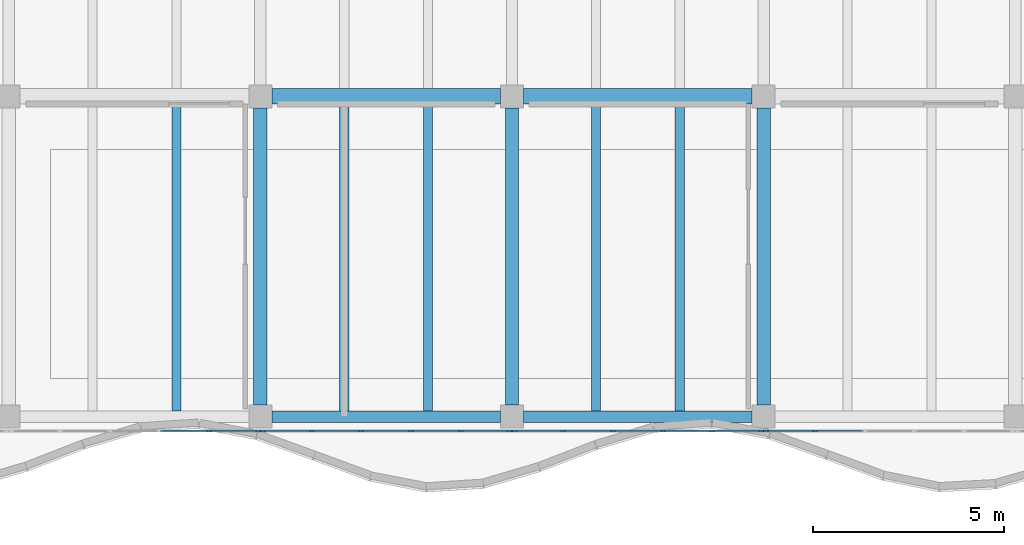
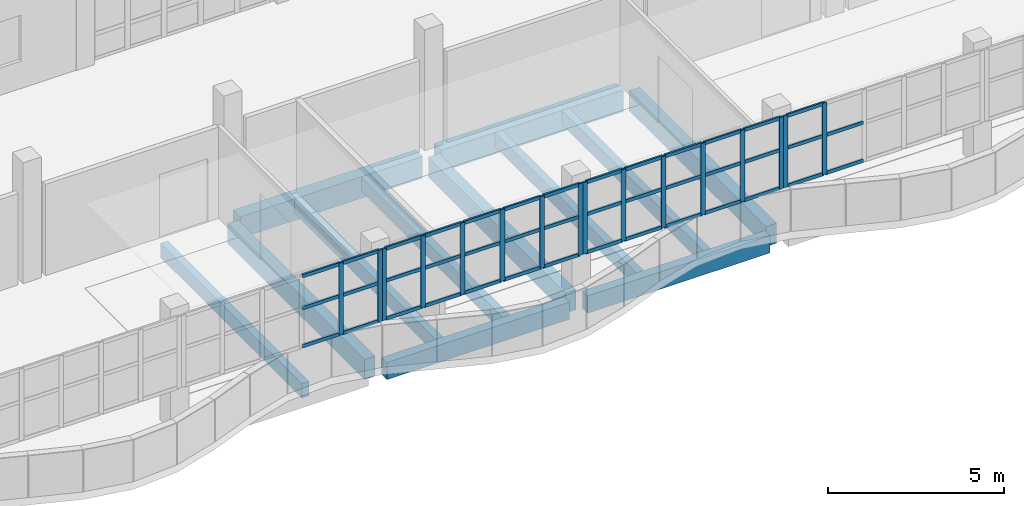
# One storey, part 13 of 74: 57 members, 12 beams, 4 elements without a shape of their own.
"""IFC4 building model written with IfcOpenShell, lengths in metres."""

import ifcopenshell
import ifcopenshell.guid

model = None  # the IFC model being written
_history = None  # IfcOwnerHistory: only IFC2X3 demands one
_inside = {}  # id of a spatial element -> (the spatial element, [elements in it])
_under = {}  # id of a project, library or spatial element -> (it, [spatial elements below it])
_declared = {}  # id of a project -> (the project, [libraries it declares])
_typed = {}  # id of a type object -> (the type object, [elements of that type])
_made_of = {}  # id of a material, layer set ... -> (it, [elements and type objects made of it])


def new_model(schema):
    """Start an empty IFC model of exactly this schema.

    Asked for "IFC4X3", IfcOpenShell would pick the latest addendum, in which some entities
    have other attributes; the version numbers below select the first issue.
    IFC2X3 requires an IfcOwnerHistory on every rooted entity: one is made here for all.
    """
    global model, _history
    if schema == "IFC4X3":
        model = ifcopenshell.file(schema_version=(4, 3, 0, 0))
    else:
        model = ifcopenshell.file(schema=schema)
    _inside.clear()
    _under.clear()
    _declared.clear()
    _typed.clear()
    _made_of.clear()
    _history = None
    if model.schema == "IFC2X3":
        org = make("IfcOrganization", Name="unknown")
        user = make(
            "IfcPersonAndOrganization",
            ThePerson=make("IfcPerson", FamilyName="unknown"),
            TheOrganization=org,
        )
        app = make(
            "IfcApplication",
            ApplicationDeveloper=org,
            Version="unknown",
            ApplicationFullName="unknown",
            ApplicationIdentifier="unknown",
        )
        _history = make(
            "IfcOwnerHistory",
            OwningUser=user,
            OwningApplication=app,
            ChangeAction="ADDED",
            CreationDate=0,
        )
    return model


def make(cls, **values):
    """One entity of the class cls with the attributes given. An attribute that is None is left unset."""
    return model.create_entity(
        cls, **{name: value for name, value in values.items() if value is not None}
    )


def rooted(cls, **values):
    """An entity with a GlobalId (a new one), such as an element, a storey or a relation."""
    return make(cls, GlobalId=ifcopenshell.guid.new(), OwnerHistory=_history, **values)


def si_unit(unit_type, name, prefix=None):
    """IfcSIUnit, for example si_unit("LENGTHUNIT", "METRE", prefix="MILLI")."""
    return make("IfcSIUnit", UnitType=unit_type, Prefix=prefix, Name=name)


def assignment(units):
    """IfcUnitAssignment: the units of a project."""
    return None if units is None else make("IfcUnitAssignment", Units=units)


def point(xyz):
    """IfcCartesianPoint."""
    return None if xyz is None else make("IfcCartesianPoint", Coordinates=xyz)


def direction(xyz):
    """IfcDirection."""
    return None if xyz is None else make("IfcDirection", DirectionRatios=xyz)


def frame(location, z_axis=None, x_axis=None):
    """IfcAxis2Placement3D, a coordinate frame: its origin and axes. An axis left out is left unset."""
    return make(
        "IfcAxis2Placement3D",
        Location=point(location),
        Axis=direction(z_axis),
        RefDirection=direction(x_axis),
    )


def frame_2d(location, x_axis=None):
    """IfcAxis2Placement2D, a coordinate frame in the plane: its origin and x axis."""
    return make(
        "IfcAxis2Placement2D", Location=point(location), RefDirection=direction(x_axis)
    )


def origin():
    """The frame at (0, 0, 0) with its axes left unset."""
    return frame((0.0, 0.0, 0.0))


def origin_2d():
    """The frame at (0, 0) in the plane with its x axis left unset."""
    return frame_2d((0.0, 0.0))


def place(relative_to, where):
    """IfcLocalPlacement: puts the frame where relative to a parent placement (None: the world)."""
    return make(
        "IfcLocalPlacement", PlacementRelTo=relative_to, RelativePlacement=where
    )


def context(
    kind, dimensions, precision=None, world=None, true_north=None, identifier=None
):
    """IfcGeometricRepresentationContext, for example the 3D "Model" context."""
    return make(
        "IfcGeometricRepresentationContext",
        ContextIdentifier=identifier,
        ContextType=kind,
        CoordinateSpaceDimension=dimensions,
        Precision=precision,
        WorldCoordinateSystem=world,
        TrueNorth=true_north,
    )


def subcontext(parent, identifier, kind, view, scale=None):
    """IfcGeometricRepresentationSubContext, for example "Body" below "Model"."""
    return make(
        "IfcGeometricRepresentationSubContext",
        ContextIdentifier=identifier,
        ContextType=kind,
        ParentContext=parent,
        TargetScale=scale,
        TargetView=view,
    )


def project(units=None, contexts=None):
    """IfcProject with its units and contexts."""
    return rooted(
        "IfcProject",
        Name="project",
        RepresentationContexts=contexts,
        UnitsInContext=assignment(units),
    )


def spatial(cls, under=None, at=None, **own):
    """A site, building, storey or space (cls), placed at a placement, below another one or the project."""
    s = rooted(cls, ObjectPlacement=at, **own)
    if under is not None:
        _under.setdefault(under.id(), (under, []))[1].append(s)
    return s


def profile(cls, at=None, kind="AREA", **sizes):
    """A parametric profile (cls). Its sizes go by their IFC names, for example OverallWidth=200.0."""
    return make(cls, ProfileType=kind, Position=at, **sizes)


def rectangle(**sizes):
    """IfcRectangleProfileDef."""
    return profile("IfcRectangleProfileDef", **sizes)


def extrude(swept, where, along, depth):
    """IfcExtrudedAreaSolid: the profile swept, set in the frame where, extruded along a direction by depth."""
    return make(
        "IfcExtrudedAreaSolid",
        SweptArea=swept,
        Position=where,
        ExtrudedDirection=direction(along),
        Depth=depth,
    )


def shape(context_of_items, identifier, shape_type, items):
    """IfcShapeRepresentation: the items that make up one representation, for example the "Body"."""
    return make(
        "IfcShapeRepresentation",
        ContextOfItems=context_of_items,
        RepresentationIdentifier=identifier,
        RepresentationType=shape_type,
        Items=items,
    )


def material(Name=None, Category=None):
    """IfcMaterial."""
    return make("IfcMaterial", Name=Name, Category=Category)


def material_profile(
    of_material, cross_section, Name=None, Category=None, Priority=None
):
    """IfcMaterialProfile: a cross section and its material."""
    return make(
        "IfcMaterialProfile",
        Name=Name,
        Material=of_material,
        Profile=cross_section,
        Priority=Priority,
        Category=Category,
    )


def profile_set(profiles, Name=None, composite=None):
    """IfcMaterialProfileSet."""
    return make(
        "IfcMaterialProfileSet",
        Name=Name,
        MaterialProfiles=profiles,
        CompositeProfile=composite,
    )


def made_of(thing, what):
    """Note that an element or type object is made of a material, layer set ...; save() writes the relation."""
    if what is not None:
        _made_of.setdefault(what.id(), (what, []))[1].append(thing)
    return thing


def type_object(cls, material=None, **own):
    """A type object (cls), such as IfcWallType, which elements share."""
    return made_of(rooted(cls, **own), material)


def element(
    cls,
    number,
    at=None,
    inside=None,
    cuts=None,
    type_object=None,
    material=None,
    context=None,
    identifier="Body",
    shape_type=None,
    held_by="IfcProductDefinitionShape",
    body=None,
    shapes=None,
    **own,
):
    """One element of the class cls, such as IfcWall. Its Tag is "e" and its number.

    at: its placement. inside: the storey or other place that contains it. cuts: it is an
    opening in that element (IfcRelVoidsElement). A single representation is given by context,
    identifier, shape_type and body (its items); several are given by shapes. held_by: the class
    of the entity that holds the representations. save() writes the other relations.
    """
    e = rooted(cls, Tag="e%d" % number, ObjectPlacement=at, **own)
    if body is not None:
        shapes = [shape(context, identifier, shape_type, body)]
    if shapes is not None:
        e.Representation = make(held_by, Representations=shapes)
    if inside is not None:
        _inside.setdefault(inside.id(), (inside, []))[1].append(e)
    if cuts is not None:
        rooted(
            "IfcRelVoidsElement", RelatingBuildingElement=cuts, RelatedOpeningElement=e
        )
    if type_object is not None:
        _typed.setdefault(type_object.id(), (type_object, []))[1].append(e)
    return made_of(e, material)


def aggregate(whole, parts):
    """IfcRelAggregates: a whole, such as a stair, and the parts it consists of."""
    return rooted("IfcRelAggregates", RelatingObject=whole, RelatedObjects=parts)


def save(model, path):
    """Write the relations noted so far, then the file.

    IfcRelAggregates (storeys below a building ...), IfcRelContainedInSpatialStructure (elements
    in a storey), IfcRelDefinesByType, IfcRelAssociatesMaterial and IfcRelDeclares: one each for
    every whole, place, type object, material and project.
    """
    for whole, parts in _under.values():
        aggregate(whole, parts)
    for where, things in _inside.values():
        rooted(
            "IfcRelContainedInSpatialStructure",
            RelatedElements=things,
            RelatingStructure=where,
        )
    for kind, things in _typed.values():
        rooted("IfcRelDefinesByType", RelatedObjects=things, RelatingType=kind)
    for what, things in _made_of.values():
        rooted("IfcRelAssociatesMaterial", RelatedObjects=things, RelatingMaterial=what)
    for by, libraries in _declared.values():
        rooted("IfcRelDeclares", RelatingContext=by, RelatedDefinitions=libraries)
    model.write(path)


model = new_model("IFC4")

# Units and contexts
model_context = context("Model", 3, precision=1e-05, world=origin(), true_north=direction((0.0, 1.0)))
body_context = subcontext(model_context, "Body", "Model", "MODEL_VIEW")
ifc_project = project(units=[si_unit("LENGTHUNIT", "METRE"), si_unit("AREAUNIT", "SQUARE_METRE"), si_unit("VOLUMEUNIT", "CUBIC_METRE"), si_unit("PLANEANGLEUNIT", "RADIAN"), si_unit("MASSUNIT", "GRAM", prefix="KILO")], contexts=[model_context])

# Site, building, storey
site_placement = place(None, origin())
site = spatial("IfcSite", under=ifc_project, at=site_placement, CompositionType="ELEMENT")
building_placement = place(site_placement, origin())
building = spatial("IfcBuilding", under=site, at=building_placement, Name="Qaldarim Faculty of Natural and Applied Sciences", CompositionType="ELEMENT")
storey_placement = place(building_placement, frame((0.0, 0.0, 14.39990234375)))
storey = spatial("IfcBuildingStorey", under=building, at=storey_placement, Name="L03", CompositionType="ELEMENT", Elevation=14.39990234375)

# Beams
ifc_material_1 = material(Name="Concrete C40/50", Category="concrete")
ifc_material_profile_1 = material_profile(ifc_material_1, rectangle(XDim=0.239990234375, YDim=0.5, at=origin_2d()), Name="RC-J240x500")
ifc_profile_set_1 = profile_set([ifc_material_profile_1], Name="Concrete C40/50")
beam_type_1 = type_object("IfcBeamType", Name="HeavyJoist-RC240x500", PredefinedType="JOIST", material=ifc_profile_set_1)
for number, where, z_axis, x_axis, name in (
    (1, (63.800048828125, 100.949951171875, -0.510009765625), (0.0, 1.0, 0.0), (-1.0, 0.0, 0.0), "Laboratory joist L02 bay X10Y13-2"),
    (2, (68.199951171875, 100.949951171875, -0.510009765625), (0.0, 1.0, 0.0), (-1.0, 0.0, 0.0), "Laboratory joist L02 bay X11Y13-1"),
    (3, (70.39990234375, 100.949951171875, -0.510009765625), (0.0, 1.0, 0.0), (-1.0, 0.0, 0.0), "Laboratory joist L02 bay X11Y13-2"),
    (4, (74.800048828125, 100.949951171875, -0.510009765625), (0.0, 1.0, 0.0), (-1.0, 0.0, 0.0), "Laboratory joist L02 bay X12Y13-1"),
    (5, (77.0, 100.949951171875, -0.510009765625), (0.0, 1.0, 0.0), (-1.0, 0.0, 0.0), "Laboratory joist L02 bay X12Y13-2"),
):
    element("IfcBeam", number, at=place(storey_placement, frame(where, z_axis=z_axis, x_axis=x_axis)), inside=storey, type_object=beam_type_1, Name=name, PredefinedType="JOIST", context=body_context, shape_type="SweptSolid", body=[
        extrude(rectangle(XDim=0.239990234375, YDim=0.5, at=origin_2d()), origin(), (0.0, 0.0, 1.0), 8.050048828125),
    ])
ifc_material_2 = material(Name="Concrete C50/60", Category="concrete")
ifc_material_profile_2 = material_profile(ifc_material_2, rectangle(XDim=0.39990234375, YDim=0.75, at=origin_2d()), Name="RC-B400x750")
ifc_profile_set_2 = profile_set([ifc_material_profile_2], Name="Concrete C50/60")
beam_type_2 = type_object("IfcBeamType", Name="LabGirder-RC400x750", PredefinedType="BEAM", material=ifc_profile_set_2)
for number, where, z_axis, x_axis, name in (
    (6, (66.300048828125, 109.199951171875, -0.635009765625), (1.0, 0.0, 0.0), (0.0, 1.0, 0.0), "Beam RC-B400x750 L02 X11-X12/Y14"),
    (7, (72.89990234375, 109.199951171875, -0.635009765625), (1.0, 0.0, 0.0), (0.0, 1.0, 0.0), "Beam RC-B400x750 L02 X12-X13/Y14"),
):
    element("IfcBeam", number, at=place(storey_placement, frame(where, z_axis=z_axis, x_axis=x_axis)), inside=storey, type_object=beam_type_2, Name=name, PredefinedType="BEAM", context=body_context, shape_type="SweptSolid", body=[
        extrude(rectangle(XDim=0.39990234375, YDim=0.75, at=origin_2d()), origin(), (0.0, 0.0, 1.0), 6.0),
    ])

# Curtain wall, members
ifc_material_3 = material(Name="Anodised aluminium AW-6063", Category="aluminium")
curtain_wall_type = type_object("IfcCurtainWallType", Name="CurtainWallSystem-M1400", PredefinedType="USERDEFINED", material=ifc_material_3)
curtain_wall_1_placement = place(storey_placement, origin())
curtain_wall_1 = element("IfcCurtainWall", 8, at=curtain_wall_1_placement, inside=storey, type_object=curtain_wall_type, Name="Curtain wall CW-V4RIB-L03-X10", ObjectType="STICK CURTAIN WALL", PredefinedType="USERDEFINED")
ifc_material_profile_3 = material_profile(ifc_material_3, rectangle(XDim=0.06005859375, YDim=0.14990234375, at=origin_2d()), Name="ALU-M60x150")
ifc_profile_set_3 = profile_set([ifc_material_profile_3], Name="Anodised aluminium AW-6063")
member_type_1 = type_object("IfcMemberType", Name="Mullion-ALU60x150", PredefinedType="MULLION", material=ifc_profile_set_3)
member_1_placement = place(storey_placement, frame((64.656005859375, 100.419921875, 1.4501953125), z_axis=(0.0, 0.0, 1.0), x_axis=(0.0, 1.0, 0.0)))
member_1 = element("IfcMember", 9, at=member_1_placement, type_object=member_type_1, Name="Mullion 5 of CW-V4RIB-L03-X10", PredefinedType="MULLION", context=body_context, shape_type="SweptSolid", body=[
    extrude(rectangle(XDim=0.06005859375, YDim=0.14990234375, at=origin_2d()), origin(), (0.0, 0.0, 1.0), 2.489990234375),
])
member_2_placement = place(storey_placement, frame((65.929931640625, 100.419921875, 1.4501953125), z_axis=(0.0, 0.0, 1.0), x_axis=(0.0, 1.0, 0.0)))
member_2 = element("IfcMember", 10, at=member_2_placement, type_object=member_type_1, Name="Mullion 6 of CW-V4RIB-L03-X10", PredefinedType="MULLION", context=body_context, shape_type="SweptSolid", body=[
    extrude(rectangle(XDim=0.06005859375, YDim=0.14990234375, at=origin_2d()), origin(), (0.0, 0.0, 1.0), 2.489990234375),
])

curtain_wall_2_placement = place(storey_placement, origin())
curtain_wall_2 = element("IfcCurtainWall", 11, at=curtain_wall_2_placement, inside=storey, type_object=curtain_wall_type, Name="Curtain wall CW-V4RIB-L03-X11", ObjectType="STICK CURTAIN WALL", PredefinedType="USERDEFINED")
member_3_placement = place(storey_placement, frame((66.070068359375, 100.419921875, 1.4501953125), z_axis=(0.0, 0.0, 1.0), x_axis=(0.0, 1.0, 0.0)))
member_3 = element("IfcMember", 12, at=member_3_placement, type_object=member_type_1, Name="Mullion 1 of CW-V4RIB-L03-X11", PredefinedType="MULLION", context=body_context, shape_type="SweptSolid", body=[
    extrude(rectangle(XDim=0.06005859375, YDim=0.14990234375, at=origin_2d()), origin(), (0.0, 0.0, 1.0), 2.489990234375),
])
member_4_placement = place(storey_placement, frame((67.343994140625, 100.419921875, 1.4501953125), z_axis=(0.0, 0.0, 1.0), x_axis=(0.0, 1.0, 0.0)))
member_4 = element("IfcMember", 13, at=member_4_placement, type_object=member_type_1, Name="Mullion 2 of CW-V4RIB-L03-X11", PredefinedType="MULLION", context=body_context, shape_type="SweptSolid", body=[
    extrude(rectangle(XDim=0.06005859375, YDim=0.14990234375, at=origin_2d()), origin(), (0.0, 0.0, 1.0), 2.489990234375),
])
member_5_placement = place(storey_placement, frame((68.64794921875, 100.419921875, 1.4501953125), z_axis=(0.0, 0.0, 1.0), x_axis=(0.0, 1.0, 0.0)))
member_5 = element("IfcMember", 14, at=member_5_placement, type_object=member_type_1, Name="Mullion 3 of CW-V4RIB-L03-X11", PredefinedType="MULLION", context=body_context, shape_type="SweptSolid", body=[
    extrude(rectangle(XDim=0.06005859375, YDim=0.14990234375, at=origin_2d()), origin(), (0.0, 0.0, 1.0), 2.489990234375),
])
member_6_placement = place(storey_placement, frame((69.951904296875, 100.419921875, 1.4501953125), z_axis=(0.0, 0.0, 1.0), x_axis=(0.0, 1.0, 0.0)))
member_6 = element("IfcMember", 15, at=member_6_placement, type_object=member_type_1, Name="Mullion 4 of CW-V4RIB-L03-X11", PredefinedType="MULLION", context=body_context, shape_type="SweptSolid", body=[
    extrude(rectangle(XDim=0.06005859375, YDim=0.14990234375, at=origin_2d()), origin(), (0.0, 0.0, 1.0), 2.489990234375),
])
member_7_placement = place(storey_placement, frame((71.256103515625, 100.419921875, 1.4501953125), z_axis=(0.0, 0.0, 1.0), x_axis=(0.0, 1.0, 0.0)))
member_7 = element("IfcMember", 16, at=member_7_placement, type_object=member_type_1, Name="Mullion 5 of CW-V4RIB-L03-X11", PredefinedType="MULLION", context=body_context, shape_type="SweptSolid", body=[
    extrude(rectangle(XDim=0.06005859375, YDim=0.14990234375, at=origin_2d()), origin(), (0.0, 0.0, 1.0), 2.489990234375),
])
member_8_placement = place(storey_placement, frame((72.530029296875, 100.419921875, 1.4501953125), z_axis=(0.0, 0.0, 1.0), x_axis=(0.0, 1.0, 0.0)))
member_8 = element("IfcMember", 17, at=member_8_placement, type_object=member_type_1, Name="Mullion 6 of CW-V4RIB-L03-X11", PredefinedType="MULLION", context=body_context, shape_type="SweptSolid", body=[
    extrude(rectangle(XDim=0.06005859375, YDim=0.14990234375, at=origin_2d()), origin(), (0.0, 0.0, 1.0), 2.489990234375),
])

curtain_wall_3_placement = place(storey_placement, origin())
curtain_wall_3 = element("IfcCurtainWall", 18, at=curtain_wall_3_placement, inside=storey, type_object=curtain_wall_type, Name="Curtain wall CW-V4RIB-L03-X12", ObjectType="STICK CURTAIN WALL", PredefinedType="USERDEFINED")
member_9_placement = place(storey_placement, frame((72.669921875, 100.419921875, 1.4501953125), z_axis=(0.0, 0.0, 1.0), x_axis=(0.0, 1.0, 0.0)))
member_9 = element("IfcMember", 19, at=member_9_placement, type_object=member_type_1, Name="Mullion 1 of CW-V4RIB-L03-X12", PredefinedType="MULLION", context=body_context, shape_type="SweptSolid", body=[
    extrude(rectangle(XDim=0.06005859375, YDim=0.14990234375, at=origin_2d()), origin(), (0.0, 0.0, 1.0), 2.489990234375),
])
member_10_placement = place(storey_placement, frame((73.944091796875, 100.419921875, 1.4501953125), z_axis=(0.0, 0.0, 1.0), x_axis=(0.0, 1.0, 0.0)))
member_10 = element("IfcMember", 20, at=member_10_placement, type_object=member_type_1, Name="Mullion 2 of CW-V4RIB-L03-X12", PredefinedType="MULLION", context=body_context, shape_type="SweptSolid", body=[
    extrude(rectangle(XDim=0.06005859375, YDim=0.14990234375, at=origin_2d()), origin(), (0.0, 0.0, 1.0), 2.489990234375),
])
member_11_placement = place(storey_placement, frame((75.248046875, 100.419921875, 1.4501953125), z_axis=(0.0, 0.0, 1.0), x_axis=(0.0, 1.0, 0.0)))
member_11 = element("IfcMember", 21, at=member_11_placement, type_object=member_type_1, Name="Mullion 3 of CW-V4RIB-L03-X12", PredefinedType="MULLION", context=body_context, shape_type="SweptSolid", body=[
    extrude(rectangle(XDim=0.06005859375, YDim=0.14990234375, at=origin_2d()), origin(), (0.0, 0.0, 1.0), 2.489990234375),
])
member_12_placement = place(storey_placement, frame((76.552001953125, 100.419921875, 1.4501953125), z_axis=(0.0, 0.0, 1.0), x_axis=(0.0, 1.0, 0.0)))
member_12 = element("IfcMember", 22, at=member_12_placement, type_object=member_type_1, Name="Mullion 4 of CW-V4RIB-L03-X12", PredefinedType="MULLION", context=body_context, shape_type="SweptSolid", body=[
    extrude(rectangle(XDim=0.06005859375, YDim=0.14990234375, at=origin_2d()), origin(), (0.0, 0.0, 1.0), 2.489990234375),
])
member_13_placement = place(storey_placement, frame((77.85595703125, 100.419921875, 1.4501953125), z_axis=(0.0, 0.0, 1.0), x_axis=(0.0, 1.0, 0.0)))
member_13 = element("IfcMember", 23, at=member_13_placement, type_object=member_type_1, Name="Mullion 5 of CW-V4RIB-L03-X12", PredefinedType="MULLION", context=body_context, shape_type="SweptSolid", body=[
    extrude(rectangle(XDim=0.06005859375, YDim=0.14990234375, at=origin_2d()), origin(), (0.0, 0.0, 1.0), 2.489990234375),
])
member_14_placement = place(storey_placement, frame((79.1298828125, 100.419921875, 1.4501953125), z_axis=(0.0, 0.0, 1.0), x_axis=(0.0, 1.0, 0.0)))
member_14 = element("IfcMember", 24, at=member_14_placement, type_object=member_type_1, Name="Mullion 6 of CW-V4RIB-L03-X12", PredefinedType="MULLION", context=body_context, shape_type="SweptSolid", body=[
    extrude(rectangle(XDim=0.06005859375, YDim=0.14990234375, at=origin_2d()), origin(), (0.0, 0.0, 1.0), 2.489990234375),
])

curtain_wall_4_placement = place(storey_placement, origin())
curtain_wall_4 = element("IfcCurtainWall", 25, at=curtain_wall_4_placement, inside=storey, type_object=curtain_wall_type, Name="Curtain wall CW-V4RIB-L03-X13", ObjectType="STICK CURTAIN WALL", PredefinedType="USERDEFINED")
member_15_placement = place(storey_placement, frame((79.27001953125, 100.419921875, 1.4501953125), z_axis=(0.0, 0.0, 1.0), x_axis=(0.0, 1.0, 0.0)))
member_15 = element("IfcMember", 26, at=member_15_placement, type_object=member_type_1, Name="Mullion 1 of CW-V4RIB-L03-X13", PredefinedType="MULLION", context=body_context, shape_type="SweptSolid", body=[
    extrude(rectangle(XDim=0.06005859375, YDim=0.14990234375, at=origin_2d()), origin(), (0.0, 0.0, 1.0), 2.489990234375),
])
member_16_placement = place(storey_placement, frame((80.5439453125, 100.419921875, 1.4501953125), z_axis=(0.0, 0.0, 1.0), x_axis=(0.0, 1.0, 0.0)))
member_16 = element("IfcMember", 27, at=member_16_placement, type_object=member_type_1, Name="Mullion 2 of CW-V4RIB-L03-X13", PredefinedType="MULLION", context=body_context, shape_type="SweptSolid", body=[
    extrude(rectangle(XDim=0.06005859375, YDim=0.14990234375, at=origin_2d()), origin(), (0.0, 0.0, 1.0), 2.489990234375),
])

# Beams
ifc_material_profile_4 = material_profile(ifc_material_1, rectangle(XDim=0.35009765625, YDim=0.699951171875, at=origin_2d()), Name="RC-B350x700")
ifc_profile_set_4 = profile_set([ifc_material_profile_4], Name="Concrete C40/50")
beam_type_3 = type_object("IfcBeamType", Name="PrimaryGirder-RC350x700", PredefinedType="BEAM", material=ifc_profile_set_4)
for number, where, z_axis, x_axis, name in (
    (28, (66.0, 101.10009765625, -0.60986328125), (0.0, 1.0, 0.0), (-1.0, 0.0, 0.0), "Beam RC-B350x700 L02 X11/Y13-Y14"),
    (29, (72.60009765625, 101.10009765625, -0.60986328125), (0.0, 1.0, 0.0), (-1.0, 0.0, 0.0), "Beam RC-B350x700 L02 X12/Y13-Y14"),
    (30, (79.199951171875, 101.10009765625, -0.60986328125), (0.0, 1.0, 0.0), (-1.0, 0.0, 0.0), "Beam RC-B350x700 L02 X13/Y13-Y14"),
):
    element("IfcBeam", number, at=place(storey_placement, frame(where, z_axis=z_axis, x_axis=x_axis)), inside=storey, type_object=beam_type_3, Name=name, PredefinedType="BEAM", context=body_context, shape_type="SweptSolid", body=[
        extrude(rectangle(XDim=0.35009765625, YDim=0.699951171875, at=origin_2d()), origin(), (0.0, 0.0, 1.0), 7.7998046875),
    ])
ifc_material_4 = material(Name="Precast concrete C40/50", Category="concrete")
ifc_material_profile_5 = material_profile(ifc_material_4, rectangle(XDim=0.300048828125, YDim=0.60009765625, at=origin_2d()), Name="RC-SP300x600")
ifc_profile_set_5 = profile_set([ifc_material_profile_5], Name="Precast concrete C40/50")
beam_type_4 = type_object("IfcBeamType", Name="SpandrelBeam-RC300x600", PredefinedType="SPANDREL", material=ifc_profile_set_5)
for number, where, z_axis, x_axis, name in (
    (31, (66.300048828125, 100.800048828125, -0.559814453125), (1.0, 0.0, 0.0), (0.0, 1.0, 0.0), "Beam RC-SP300x600 L02 X11-X12/Y13"),
    (32, (72.89990234375, 100.800048828125, -0.559814453125), (1.0, 0.0, 0.0), (0.0, 1.0, 0.0), "Beam RC-SP300x600 L02 X12-X13/Y13"),
):
    element("IfcBeam", number, at=place(storey_placement, frame(where, z_axis=z_axis, x_axis=x_axis)), inside=storey, type_object=beam_type_4, Name=name, PredefinedType="SPANDREL", context=body_context, shape_type="SweptSolid", body=[
        extrude(rectangle(XDim=0.300048828125, YDim=0.60009765625, at=origin_2d()), origin(), (0.0, 0.0, 1.0), 6.0),
    ])

# Member
ifc_material_profile_6 = material_profile(ifc_material_3, rectangle(XDim=0.06005859375, YDim=0.1201171875, at=origin_2d()), Name="ALU-T60x120")
ifc_profile_set_6 = profile_set([ifc_material_profile_6], Name="Anodised aluminium AW-6063")
member_type_2 = type_object("IfcMemberType", Name="Transom-ALU60x120", PredefinedType="USERDEFINED", material=ifc_profile_set_6)
member_17_placement = place(storey_placement, frame((63.382080078125, 100.419921875, 1.47998046875), z_axis=(1.0, 0.0, 0.0), x_axis=(0.0, 1.0, 0.0)))
member_17 = element("IfcMember", 33, at=member_17_placement, type_object=member_type_2, Name="Transom 4-1 of CW-V4RIB-L03-X10", ObjectType="TRANSOM", PredefinedType="USERDEFINED", context=body_context, shape_type="SweptSolid", body=[
    extrude(rectangle(XDim=0.06005859375, YDim=0.1201171875, at=origin_2d()), origin(), (0.0, 0.0, 1.0), 1.243896484375),
])

member_18_placement = place(storey_placement, frame((63.382080078125, 100.419921875, 2.800048828125), z_axis=(1.0, 0.0, 0.0), x_axis=(0.0, 1.0, 0.0)))
member_18 = element("IfcMember", 34, at=member_18_placement, type_object=member_type_2, Name="Transom 4-2 of CW-V4RIB-L03-X10", ObjectType="TRANSOM", PredefinedType="USERDEFINED", context=body_context, shape_type="SweptSolid", body=[
    extrude(rectangle(XDim=0.06005859375, YDim=0.1201171875, at=origin_2d()), origin(), (0.0, 0.0, 1.0), 1.243896484375),
])

member_19_placement = place(storey_placement, frame((63.382080078125, 100.419921875, 3.91015625), z_axis=(1.0, 0.0, 0.0), x_axis=(0.0, 1.0, 0.0)))
member_19 = element("IfcMember", 35, at=member_19_placement, type_object=member_type_2, Name="Transom 4-3 of CW-V4RIB-L03-X10", ObjectType="TRANSOM", PredefinedType="USERDEFINED", context=body_context, shape_type="SweptSolid", body=[
    extrude(rectangle(XDim=0.06005859375, YDim=0.1201171875, at=origin_2d()), origin(), (0.0, 0.0, 1.0), 1.243896484375),
])

member_20_placement = place(storey_placement, frame((64.68603515625, 100.419921875, 1.47998046875), z_axis=(1.0, 0.0, 0.0), x_axis=(0.0, 1.0, 0.0)))
member_20 = element("IfcMember", 36, at=member_20_placement, type_object=member_type_2, Name="Transom 5-1 of CW-V4RIB-L03-X10", ObjectType="TRANSOM", PredefinedType="USERDEFINED", context=body_context, shape_type="SweptSolid", body=[
    extrude(rectangle(XDim=0.06005859375, YDim=0.1201171875, at=origin_2d()), origin(), (0.0, 0.0, 1.0), 1.2138671875),
])

member_21_placement = place(storey_placement, frame((64.68603515625, 100.419921875, 2.800048828125), z_axis=(1.0, 0.0, 0.0), x_axis=(0.0, 1.0, 0.0)))
member_21 = element("IfcMember", 37, at=member_21_placement, type_object=member_type_2, Name="Transom 5-2 of CW-V4RIB-L03-X10", ObjectType="TRANSOM", PredefinedType="USERDEFINED", context=body_context, shape_type="SweptSolid", body=[
    extrude(rectangle(XDim=0.06005859375, YDim=0.1201171875, at=origin_2d()), origin(), (0.0, 0.0, 1.0), 1.2138671875),
])

member_22_placement = place(storey_placement, frame((64.68603515625, 100.419921875, 3.91015625), z_axis=(1.0, 0.0, 0.0), x_axis=(0.0, 1.0, 0.0)))
member_22 = element("IfcMember", 38, at=member_22_placement, type_object=member_type_2, Name="Transom 5-3 of CW-V4RIB-L03-X10", ObjectType="TRANSOM", PredefinedType="USERDEFINED", context=body_context, shape_type="SweptSolid", body=[
    extrude(rectangle(XDim=0.06005859375, YDim=0.1201171875, at=origin_2d()), origin(), (0.0, 0.0, 1.0), 1.2138671875),
])

aggregate(curtain_wall_1, [member_1, member_2, member_17, member_18, member_19, member_20, member_21, member_22])

member_23_placement = place(storey_placement, frame((66.10009765625, 100.419921875, 1.47998046875), z_axis=(1.0, 0.0, 0.0), x_axis=(0.0, 1.0, 0.0)))
member_23 = element("IfcMember", 39, at=member_23_placement, type_object=member_type_2, Name="Transom 1-1 of CW-V4RIB-L03-X11", ObjectType="TRANSOM", PredefinedType="USERDEFINED", context=body_context, shape_type="SweptSolid", body=[
    extrude(rectangle(XDim=0.06005859375, YDim=0.1201171875, at=origin_2d()), origin(), (0.0, 0.0, 1.0), 1.2138671875),
])

member_24_placement = place(storey_placement, frame((66.10009765625, 100.419921875, 2.800048828125), z_axis=(1.0, 0.0, 0.0), x_axis=(0.0, 1.0, 0.0)))
member_24 = element("IfcMember", 40, at=member_24_placement, type_object=member_type_2, Name="Transom 1-2 of CW-V4RIB-L03-X11", ObjectType="TRANSOM", PredefinedType="USERDEFINED", context=body_context, shape_type="SweptSolid", body=[
    extrude(rectangle(XDim=0.06005859375, YDim=0.1201171875, at=origin_2d()), origin(), (0.0, 0.0, 1.0), 1.2138671875),
])

member_25_placement = place(storey_placement, frame((66.10009765625, 100.419921875, 3.91015625), z_axis=(1.0, 0.0, 0.0), x_axis=(0.0, 1.0, 0.0)))
member_25 = element("IfcMember", 41, at=member_25_placement, type_object=member_type_2, Name="Transom 1-3 of CW-V4RIB-L03-X11", ObjectType="TRANSOM", PredefinedType="USERDEFINED", context=body_context, shape_type="SweptSolid", body=[
    extrude(rectangle(XDim=0.06005859375, YDim=0.1201171875, at=origin_2d()), origin(), (0.0, 0.0, 1.0), 1.2138671875),
])

member_26_placement = place(storey_placement, frame((67.3740234375, 100.419921875, 1.47998046875), z_axis=(1.0, 0.0, 0.0), x_axis=(0.0, 1.0, 0.0)))
member_26 = element("IfcMember", 42, at=member_26_placement, type_object=member_type_2, Name="Transom 2-1 of CW-V4RIB-L03-X11", ObjectType="TRANSOM", PredefinedType="USERDEFINED", context=body_context, shape_type="SweptSolid", body=[
    extrude(rectangle(XDim=0.06005859375, YDim=0.1201171875, at=origin_2d()), origin(), (0.0, 0.0, 1.0), 1.243896484375),
])

member_27_placement = place(storey_placement, frame((67.3740234375, 100.419921875, 2.800048828125), z_axis=(1.0, 0.0, 0.0), x_axis=(0.0, 1.0, 0.0)))
member_27 = element("IfcMember", 43, at=member_27_placement, type_object=member_type_2, Name="Transom 2-2 of CW-V4RIB-L03-X11", ObjectType="TRANSOM", PredefinedType="USERDEFINED", context=body_context, shape_type="SweptSolid", body=[
    extrude(rectangle(XDim=0.06005859375, YDim=0.1201171875, at=origin_2d()), origin(), (0.0, 0.0, 1.0), 1.243896484375),
])

member_28_placement = place(storey_placement, frame((67.3740234375, 100.419921875, 3.91015625), z_axis=(1.0, 0.0, 0.0), x_axis=(0.0, 1.0, 0.0)))
member_28 = element("IfcMember", 44, at=member_28_placement, type_object=member_type_2, Name="Transom 2-3 of CW-V4RIB-L03-X11", ObjectType="TRANSOM", PredefinedType="USERDEFINED", context=body_context, shape_type="SweptSolid", body=[
    extrude(rectangle(XDim=0.06005859375, YDim=0.1201171875, at=origin_2d()), origin(), (0.0, 0.0, 1.0), 1.243896484375),
])

member_29_placement = place(storey_placement, frame((68.677978515625, 100.419921875, 1.47998046875), z_axis=(1.0, 0.0, 0.0), x_axis=(0.0, 1.0, 0.0)))
member_29 = element("IfcMember", 45, at=member_29_placement, type_object=member_type_2, Name="Transom 3-1 of CW-V4RIB-L03-X11", ObjectType="TRANSOM", PredefinedType="USERDEFINED", context=body_context, shape_type="SweptSolid", body=[
    extrude(rectangle(XDim=0.06005859375, YDim=0.1201171875, at=origin_2d()), origin(), (0.0, 0.0, 1.0), 1.244140625),
])

member_30_placement = place(storey_placement, frame((68.677978515625, 100.419921875, 2.800048828125), z_axis=(1.0, 0.0, 0.0), x_axis=(0.0, 1.0, 0.0)))
member_30 = element("IfcMember", 46, at=member_30_placement, type_object=member_type_2, Name="Transom 3-2 of CW-V4RIB-L03-X11", ObjectType="TRANSOM", PredefinedType="USERDEFINED", context=body_context, shape_type="SweptSolid", body=[
    extrude(rectangle(XDim=0.06005859375, YDim=0.1201171875, at=origin_2d()), origin(), (0.0, 0.0, 1.0), 1.244140625),
])

member_31_placement = place(storey_placement, frame((68.677978515625, 100.419921875, 3.91015625), z_axis=(1.0, 0.0, 0.0), x_axis=(0.0, 1.0, 0.0)))
member_31 = element("IfcMember", 47, at=member_31_placement, type_object=member_type_2, Name="Transom 3-3 of CW-V4RIB-L03-X11", ObjectType="TRANSOM", PredefinedType="USERDEFINED", context=body_context, shape_type="SweptSolid", body=[
    extrude(rectangle(XDim=0.06005859375, YDim=0.1201171875, at=origin_2d()), origin(), (0.0, 0.0, 1.0), 1.244140625),
])

member_32_placement = place(storey_placement, frame((69.98193359375, 100.419921875, 1.47998046875), z_axis=(1.0, 0.0, 0.0), x_axis=(0.0, 1.0, 0.0)))
member_32 = element("IfcMember", 48, at=member_32_placement, type_object=member_type_2, Name="Transom 4-1 of CW-V4RIB-L03-X11", ObjectType="TRANSOM", PredefinedType="USERDEFINED", context=body_context, shape_type="SweptSolid", body=[
    extrude(rectangle(XDim=0.06005859375, YDim=0.1201171875, at=origin_2d()), origin(), (0.0, 0.0, 1.0), 1.244140625),
])

member_33_placement = place(storey_placement, frame((69.98193359375, 100.419921875, 2.800048828125), z_axis=(1.0, 0.0, 0.0), x_axis=(0.0, 1.0, 0.0)))
member_33 = element("IfcMember", 49, at=member_33_placement, type_object=member_type_2, Name="Transom 4-2 of CW-V4RIB-L03-X11", ObjectType="TRANSOM", PredefinedType="USERDEFINED", context=body_context, shape_type="SweptSolid", body=[
    extrude(rectangle(XDim=0.06005859375, YDim=0.1201171875, at=origin_2d()), origin(), (0.0, 0.0, 1.0), 1.244140625),
])

member_34_placement = place(storey_placement, frame((69.98193359375, 100.419921875, 3.91015625), z_axis=(1.0, 0.0, 0.0), x_axis=(0.0, 1.0, 0.0)))
member_34 = element("IfcMember", 50, at=member_34_placement, type_object=member_type_2, Name="Transom 4-3 of CW-V4RIB-L03-X11", ObjectType="TRANSOM", PredefinedType="USERDEFINED", context=body_context, shape_type="SweptSolid", body=[
    extrude(rectangle(XDim=0.06005859375, YDim=0.1201171875, at=origin_2d()), origin(), (0.0, 0.0, 1.0), 1.244140625),
])

member_35_placement = place(storey_placement, frame((71.285888671875, 100.419921875, 1.47998046875), z_axis=(1.0, 0.0, 0.0), x_axis=(0.0, 1.0, 0.0)))
member_35 = element("IfcMember", 51, at=member_35_placement, type_object=member_type_2, Name="Transom 5-1 of CW-V4RIB-L03-X11", ObjectType="TRANSOM", PredefinedType="USERDEFINED", context=body_context, shape_type="SweptSolid", body=[
    extrude(rectangle(XDim=0.06005859375, YDim=0.1201171875, at=origin_2d()), origin(), (0.0, 0.0, 1.0), 1.214111328125),
])

member_36_placement = place(storey_placement, frame((71.285888671875, 100.419921875, 2.800048828125), z_axis=(1.0, 0.0, 0.0), x_axis=(0.0, 1.0, 0.0)))
member_36 = element("IfcMember", 52, at=member_36_placement, type_object=member_type_2, Name="Transom 5-2 of CW-V4RIB-L03-X11", ObjectType="TRANSOM", PredefinedType="USERDEFINED", context=body_context, shape_type="SweptSolid", body=[
    extrude(rectangle(XDim=0.06005859375, YDim=0.1201171875, at=origin_2d()), origin(), (0.0, 0.0, 1.0), 1.214111328125),
])

member_37_placement = place(storey_placement, frame((71.285888671875, 100.419921875, 3.91015625), z_axis=(1.0, 0.0, 0.0), x_axis=(0.0, 1.0, 0.0)))
member_37 = element("IfcMember", 53, at=member_37_placement, type_object=member_type_2, Name="Transom 5-3 of CW-V4RIB-L03-X11", ObjectType="TRANSOM", PredefinedType="USERDEFINED", context=body_context, shape_type="SweptSolid", body=[
    extrude(rectangle(XDim=0.06005859375, YDim=0.1201171875, at=origin_2d()), origin(), (0.0, 0.0, 1.0), 1.214111328125),
])

aggregate(curtain_wall_2, [member_3, member_4, member_5, member_6, member_7, member_8, member_23, member_24, member_25, member_26, member_27, member_28, member_29, member_30, member_31, member_32, member_33, member_34, member_35, member_36, member_37])

member_38_placement = place(storey_placement, frame((72.699951171875, 100.419921875, 1.47998046875), z_axis=(1.0, 0.0, 0.0), x_axis=(0.0, 1.0, 0.0)))
member_38 = element("IfcMember", 54, at=member_38_placement, type_object=member_type_2, Name="Transom 1-1 of CW-V4RIB-L03-X12", ObjectType="TRANSOM", PredefinedType="USERDEFINED", context=body_context, shape_type="SweptSolid", body=[
    extrude(rectangle(XDim=0.06005859375, YDim=0.1201171875, at=origin_2d()), origin(), (0.0, 0.0, 1.0), 1.214111328125),
])

member_39_placement = place(storey_placement, frame((72.699951171875, 100.419921875, 2.800048828125), z_axis=(1.0, 0.0, 0.0), x_axis=(0.0, 1.0, 0.0)))
member_39 = element("IfcMember", 55, at=member_39_placement, type_object=member_type_2, Name="Transom 1-2 of CW-V4RIB-L03-X12", ObjectType="TRANSOM", PredefinedType="USERDEFINED", context=body_context, shape_type="SweptSolid", body=[
    extrude(rectangle(XDim=0.06005859375, YDim=0.1201171875, at=origin_2d()), origin(), (0.0, 0.0, 1.0), 1.214111328125),
])

member_40_placement = place(storey_placement, frame((72.699951171875, 100.419921875, 3.91015625), z_axis=(1.0, 0.0, 0.0), x_axis=(0.0, 1.0, 0.0)))
member_40 = element("IfcMember", 56, at=member_40_placement, type_object=member_type_2, Name="Transom 1-3 of CW-V4RIB-L03-X12", ObjectType="TRANSOM", PredefinedType="USERDEFINED", context=body_context, shape_type="SweptSolid", body=[
    extrude(rectangle(XDim=0.06005859375, YDim=0.1201171875, at=origin_2d()), origin(), (0.0, 0.0, 1.0), 1.214111328125),
])

member_41_placement = place(storey_placement, frame((73.97412109375, 100.419921875, 1.47998046875), z_axis=(1.0, 0.0, 0.0), x_axis=(0.0, 1.0, 0.0)))
member_41 = element("IfcMember", 57, at=member_41_placement, type_object=member_type_2, Name="Transom 2-1 of CW-V4RIB-L03-X12", ObjectType="TRANSOM", PredefinedType="USERDEFINED", context=body_context, shape_type="SweptSolid", body=[
    extrude(rectangle(XDim=0.06005859375, YDim=0.1201171875, at=origin_2d()), origin(), (0.0, 0.0, 1.0), 1.243896484375),
])

member_42_placement = place(storey_placement, frame((73.97412109375, 100.419921875, 2.800048828125), z_axis=(1.0, 0.0, 0.0), x_axis=(0.0, 1.0, 0.0)))
member_42 = element("IfcMember", 58, at=member_42_placement, type_object=member_type_2, Name="Transom 2-2 of CW-V4RIB-L03-X12", ObjectType="TRANSOM", PredefinedType="USERDEFINED", context=body_context, shape_type="SweptSolid", body=[
    extrude(rectangle(XDim=0.06005859375, YDim=0.1201171875, at=origin_2d()), origin(), (0.0, 0.0, 1.0), 1.243896484375),
])

member_43_placement = place(storey_placement, frame((73.97412109375, 100.419921875, 3.91015625), z_axis=(1.0, 0.0, 0.0), x_axis=(0.0, 1.0, 0.0)))
member_43 = element("IfcMember", 59, at=member_43_placement, type_object=member_type_2, Name="Transom 2-3 of CW-V4RIB-L03-X12", ObjectType="TRANSOM", PredefinedType="USERDEFINED", context=body_context, shape_type="SweptSolid", body=[
    extrude(rectangle(XDim=0.06005859375, YDim=0.1201171875, at=origin_2d()), origin(), (0.0, 0.0, 1.0), 1.243896484375),
])

member_44_placement = place(storey_placement, frame((75.278076171875, 100.419921875, 1.47998046875), z_axis=(1.0, 0.0, 0.0), x_axis=(0.0, 1.0, 0.0)))
member_44 = element("IfcMember", 60, at=member_44_placement, type_object=member_type_2, Name="Transom 3-1 of CW-V4RIB-L03-X12", ObjectType="TRANSOM", PredefinedType="USERDEFINED", context=body_context, shape_type="SweptSolid", body=[
    extrude(rectangle(XDim=0.06005859375, YDim=0.1201171875, at=origin_2d()), origin(), (0.0, 0.0, 1.0), 1.243896484375),
])

member_45_placement = place(storey_placement, frame((75.278076171875, 100.419921875, 2.800048828125), z_axis=(1.0, 0.0, 0.0), x_axis=(0.0, 1.0, 0.0)))
member_45 = element("IfcMember", 61, at=member_45_placement, type_object=member_type_2, Name="Transom 3-2 of CW-V4RIB-L03-X12", ObjectType="TRANSOM", PredefinedType="USERDEFINED", context=body_context, shape_type="SweptSolid", body=[
    extrude(rectangle(XDim=0.06005859375, YDim=0.1201171875, at=origin_2d()), origin(), (0.0, 0.0, 1.0), 1.243896484375),
])

member_46_placement = place(storey_placement, frame((75.278076171875, 100.419921875, 3.91015625), z_axis=(1.0, 0.0, 0.0), x_axis=(0.0, 1.0, 0.0)))
member_46 = element("IfcMember", 62, at=member_46_placement, type_object=member_type_2, Name="Transom 3-3 of CW-V4RIB-L03-X12", ObjectType="TRANSOM", PredefinedType="USERDEFINED", context=body_context, shape_type="SweptSolid", body=[
    extrude(rectangle(XDim=0.06005859375, YDim=0.1201171875, at=origin_2d()), origin(), (0.0, 0.0, 1.0), 1.243896484375),
])

member_47_placement = place(storey_placement, frame((76.58203125, 100.419921875, 1.47998046875), z_axis=(1.0, 0.0, 0.0), x_axis=(0.0, 1.0, 0.0)))
member_47 = element("IfcMember", 63, at=member_47_placement, type_object=member_type_2, Name="Transom 4-1 of CW-V4RIB-L03-X12", ObjectType="TRANSOM", PredefinedType="USERDEFINED", context=body_context, shape_type="SweptSolid", body=[
    extrude(rectangle(XDim=0.06005859375, YDim=0.1201171875, at=origin_2d()), origin(), (0.0, 0.0, 1.0), 1.243896484375),
])

member_48_placement = place(storey_placement, frame((76.58203125, 100.419921875, 2.800048828125), z_axis=(1.0, 0.0, 0.0), x_axis=(0.0, 1.0, 0.0)))
member_48 = element("IfcMember", 64, at=member_48_placement, type_object=member_type_2, Name="Transom 4-2 of CW-V4RIB-L03-X12", ObjectType="TRANSOM", PredefinedType="USERDEFINED", context=body_context, shape_type="SweptSolid", body=[
    extrude(rectangle(XDim=0.06005859375, YDim=0.1201171875, at=origin_2d()), origin(), (0.0, 0.0, 1.0), 1.243896484375),
])

member_49_placement = place(storey_placement, frame((76.58203125, 100.419921875, 3.91015625), z_axis=(1.0, 0.0, 0.0), x_axis=(0.0, 1.0, 0.0)))
member_49 = element("IfcMember", 65, at=member_49_placement, type_object=member_type_2, Name="Transom 4-3 of CW-V4RIB-L03-X12", ObjectType="TRANSOM", PredefinedType="USERDEFINED", context=body_context, shape_type="SweptSolid", body=[
    extrude(rectangle(XDim=0.06005859375, YDim=0.1201171875, at=origin_2d()), origin(), (0.0, 0.0, 1.0), 1.243896484375),
])

member_50_placement = place(storey_placement, frame((77.885986328125, 100.419921875, 1.47998046875), z_axis=(1.0, 0.0, 0.0), x_axis=(0.0, 1.0, 0.0)))
member_50 = element("IfcMember", 66, at=member_50_placement, type_object=member_type_2, Name="Transom 5-1 of CW-V4RIB-L03-X12", ObjectType="TRANSOM", PredefinedType="USERDEFINED", context=body_context, shape_type="SweptSolid", body=[
    extrude(rectangle(XDim=0.06005859375, YDim=0.1201171875, at=origin_2d()), origin(), (0.0, 0.0, 1.0), 1.214111328125),
])

member_51_placement = place(storey_placement, frame((77.885986328125, 100.419921875, 2.800048828125), z_axis=(1.0, 0.0, 0.0), x_axis=(0.0, 1.0, 0.0)))
member_51 = element("IfcMember", 67, at=member_51_placement, type_object=member_type_2, Name="Transom 5-2 of CW-V4RIB-L03-X12", ObjectType="TRANSOM", PredefinedType="USERDEFINED", context=body_context, shape_type="SweptSolid", body=[
    extrude(rectangle(XDim=0.06005859375, YDim=0.1201171875, at=origin_2d()), origin(), (0.0, 0.0, 1.0), 1.214111328125),
])

member_52_placement = place(storey_placement, frame((77.885986328125, 100.419921875, 3.91015625), z_axis=(1.0, 0.0, 0.0), x_axis=(0.0, 1.0, 0.0)))
member_52 = element("IfcMember", 68, at=member_52_placement, type_object=member_type_2, Name="Transom 5-3 of CW-V4RIB-L03-X12", ObjectType="TRANSOM", PredefinedType="USERDEFINED", context=body_context, shape_type="SweptSolid", body=[
    extrude(rectangle(XDim=0.06005859375, YDim=0.1201171875, at=origin_2d()), origin(), (0.0, 0.0, 1.0), 1.214111328125),
])

aggregate(curtain_wall_3, [member_9, member_10, member_11, member_12, member_13, member_14, member_38, member_39, member_40, member_41, member_42, member_43, member_44, member_45, member_46, member_47, member_48, member_49, member_50, member_51, member_52])

member_53_placement = place(storey_placement, frame((79.300048828125, 100.419921875, 1.47998046875), z_axis=(1.0, 0.0, 0.0), x_axis=(0.0, 1.0, 0.0)))
member_53 = element("IfcMember", 69, at=member_53_placement, type_object=member_type_2, Name="Transom 1-1 of CW-V4RIB-L03-X13", ObjectType="TRANSOM", PredefinedType="USERDEFINED", context=body_context, shape_type="SweptSolid", body=[
    extrude(rectangle(XDim=0.06005859375, YDim=0.1201171875, at=origin_2d()), origin(), (0.0, 0.0, 1.0), 1.2138671875),
])

member_54_placement = place(storey_placement, frame((79.300048828125, 100.419921875, 2.800048828125), z_axis=(1.0, 0.0, 0.0), x_axis=(0.0, 1.0, 0.0)))
member_54 = element("IfcMember", 70, at=member_54_placement, type_object=member_type_2, Name="Transom 1-2 of CW-V4RIB-L03-X13", ObjectType="TRANSOM", PredefinedType="USERDEFINED", context=body_context, shape_type="SweptSolid", body=[
    extrude(rectangle(XDim=0.06005859375, YDim=0.1201171875, at=origin_2d()), origin(), (0.0, 0.0, 1.0), 1.2138671875),
])

member_55_placement = place(storey_placement, frame((79.300048828125, 100.419921875, 3.91015625), z_axis=(1.0, 0.0, 0.0), x_axis=(0.0, 1.0, 0.0)))
member_55 = element("IfcMember", 71, at=member_55_placement, type_object=member_type_2, Name="Transom 1-3 of CW-V4RIB-L03-X13", ObjectType="TRANSOM", PredefinedType="USERDEFINED", context=body_context, shape_type="SweptSolid", body=[
    extrude(rectangle(XDim=0.06005859375, YDim=0.1201171875, at=origin_2d()), origin(), (0.0, 0.0, 1.0), 1.2138671875),
])

member_56_placement = place(storey_placement, frame((80.573974609375, 100.419921875, 1.47998046875), z_axis=(1.0, 0.0, 0.0), x_axis=(0.0, 1.0, 0.0)))
member_56 = element("IfcMember", 72, at=member_56_placement, type_object=member_type_2, Name="Transom 2-1 of CW-V4RIB-L03-X13", ObjectType="TRANSOM", PredefinedType="USERDEFINED", context=body_context, shape_type="SweptSolid", body=[
    extrude(rectangle(XDim=0.06005859375, YDim=0.1201171875, at=origin_2d()), origin(), (0.0, 0.0, 1.0), 1.244140625),
])

member_57_placement = place(storey_placement, frame((80.573974609375, 100.419921875, 2.800048828125), z_axis=(1.0, 0.0, 0.0), x_axis=(0.0, 1.0, 0.0)))
member_57 = element("IfcMember", 73, at=member_57_placement, type_object=member_type_2, Name="Transom 2-2 of CW-V4RIB-L03-X13", ObjectType="TRANSOM", PredefinedType="USERDEFINED", context=body_context, shape_type="SweptSolid", body=[
    extrude(rectangle(XDim=0.06005859375, YDim=0.1201171875, at=origin_2d()), origin(), (0.0, 0.0, 1.0), 1.244140625),
])

aggregate(curtain_wall_4, [member_15, member_16, member_53, member_54, member_55, member_56, member_57])

save(model, "model.ifc")
